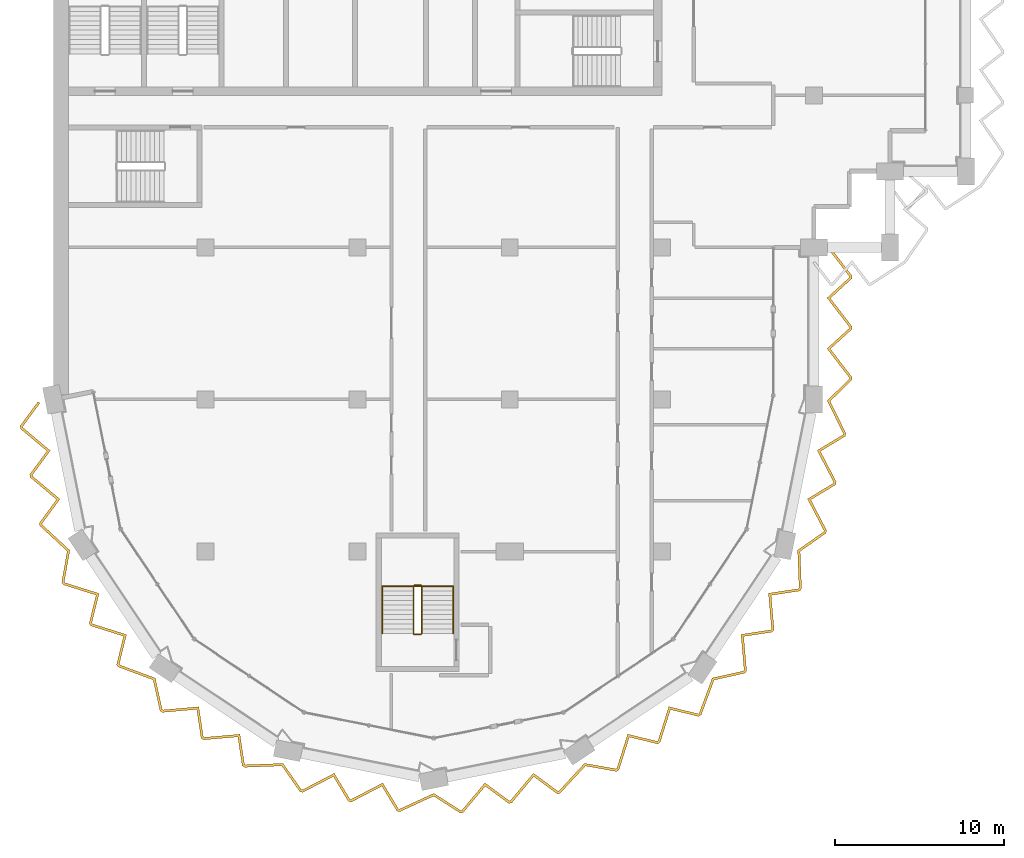
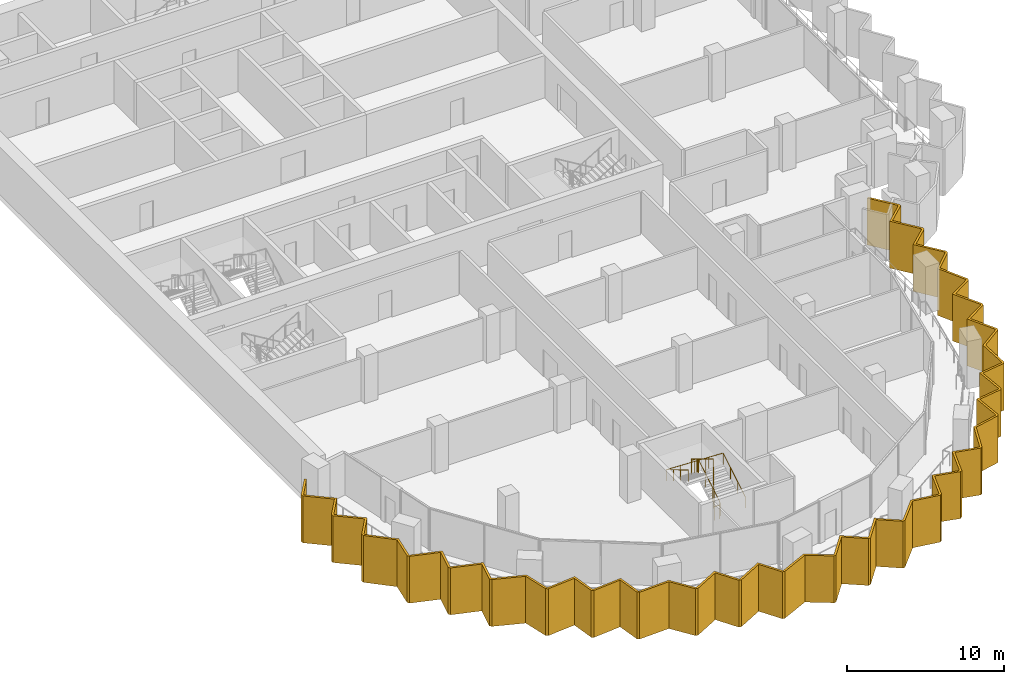
# One storey, part 13 of 16: 2 railings, 1 shading device.
"""IFC4 building model written with IfcOpenShell, lengths in metres."""

from ifc_helpers import new_model, si_unit, direction, frame, origin, origin_2d, place, context, subcontext, project, spatial, polyline, circle, outline, extrude, material, layer, layer_set, type_object, element, save


model = new_model("IFC4")

# Units and contexts
model_context = context("Model", 3, precision=1e-05, world=origin(), true_north=direction((0.0, 1.0)))
body_context = subcontext(model_context, "Body", "Model", "MODEL_VIEW")
ifc_project = project(units=[si_unit("LENGTHUNIT", "METRE"), si_unit("AREAUNIT", "SQUARE_METRE"), si_unit("VOLUMEUNIT", "CUBIC_METRE"), si_unit("PLANEANGLEUNIT", "RADIAN"), si_unit("MASSUNIT", "GRAM", prefix="KILO")], contexts=[model_context])

# Site, building, storey
site_placement = place(None, origin())
site = spatial("IfcSite", under=ifc_project, at=site_placement, CompositionType="ELEMENT")
building_placement = place(site_placement, origin())
building = spatial("IfcBuilding", under=site, at=building_placement, Name="Hunhe Ridgeline Campus", CompositionType="ELEMENT")
storey_placement = place(building_placement, frame((0.0, 0.0, 261.39990234375)))
storey = spatial("IfcBuildingStorey", under=building, at=storey_placement, Name="L67", CompositionType="ELEMENT", Elevation=261.39990234375)

# Shading device
ifc_material_1 = material(Name="Concrete C50", Category="concrete")
ifc_layer = layer(ifc_material_1, 0.14990234375)
ifc_layer_set = layer_set([ifc_layer], Name="Sawtooth concrete fin 150 Concrete C50")
shading_device_type = type_object("IfcShadingDeviceType", Name="Sawtooth concrete fin 150 Concrete C50", PredefinedType="USERDEFINED", material=ifc_layer_set)
shading_device_placement = place(storey_placement, frame((0.0, 0.0, -0.949951171875)))
element("IfcShadingDevice", 1, at=shading_device_placement, inside=storey, type_object=shading_device_type, Name="Concrete fin screen 1", ObjectType="FIN", PredefinedType="USERDEFINED", context=body_context, shape_type="SweptSolid", body=[
    extrude(outline(polyline([(-0.7978515625, 44.784912109375), (-0.91845703125, 44.873779296875), (-1.98193359375, 43.43017578125), (-1.94677734375, 43.254150390625), (-0.389404296875, 41.947021484375), (-1.410888671875, 40.56005859375), (-1.3759765625, 40.384033203125), (0.181396484375, 39.076904296875), (-0.840087890625, 37.68994140625), (-0.805419921875, 37.51611328125), (0.8076171875, 36.02099609375), (0.484130859375, 34.178466796875), (0.58203125, 34.03173828125), (2.521240234375, 33.419921875), (2.108154296875, 31.747802734375), (2.2080078125, 31.5986328125), (4.14697265625, 30.98681640625), (3.734130859375, 29.314697265625), (3.83251953125, 29.1669921875), (5.89501953125, 28.403076171875), (6.30126953125, 26.5771484375), (6.447998046875, 26.47900390625), (8.4736328125, 26.656005859375), (8.73193359375, 24.952880859375), (8.881103515625, 24.853271484375), (10.90673828125, 25.030029296875), (11.1650390625, 23.3271484375), (11.3125, 23.228515625), (13.51025390625, 23.31201171875), (14.58447265625, 21.780517578125), (14.757568359375, 21.74609375), (16.561279296875, 22.6845703125), (17.45166015625, 21.210205078125), (17.627685546875, 21.175048828125), (19.431396484375, 22.11376953125), (20.32177734375, 20.63916015625), (20.49560546875, 20.6044921875), (22.494140625, 21.522705078125), (24.07275390625, 20.518798828125), (24.245849609375, 20.55322265625), (25.552978515625, 22.110595703125), (26.93994140625, 21.089111328125), (27.115966796875, 21.1240234375), (28.423095703125, 22.681396484375), (29.81005859375, 21.659912109375), (29.98388671875, 21.694580078125), (31.47900390625, 23.3076171875), (33.321533203125, 22.984130859375), (33.46826171875, 23.08203125), (34.080078125, 25.021240234375), (35.752197265625, 24.608154296875), (35.9013671875, 24.7080078125), (36.51318359375, 26.64697265625), (38.185302734375, 26.234130859375), (38.3330078125, 26.33251953125), (39.096923828125, 28.39501953125), (40.9228515625, 28.80126953125), (41.02099609375, 28.947998046875), (40.843994140625, 30.9736328125), (42.547119140625, 31.23193359375), (42.646728515625, 31.381103515625), (42.469970703125, 33.40673828125), (44.1728515625, 33.6650390625), (44.271484375, 33.8125), (44.18798828125, 36.01025390625), (45.719482421875, 37.08447265625), (45.75390625, 37.257568359375), (44.8154296875, 39.061279296875), (46.289794921875, 39.95166015625), (46.324951171875, 40.127685546875), (45.38623046875, 41.931396484375), (46.86083984375, 42.82177734375), (46.8955078125, 42.99658203125), (45.966064453125, 44.898193359375), (47.25, 46.154541015625), (47.25, 46.33154296875), (45.976318359375, 47.990966796875), (47.25, 49.15283203125), (47.25, 49.33154296875), (45.976318359375, 50.990966796875), (47.25, 52.15283203125), (47.25, 52.33154296875), (45.9345703125, 54.045654296875), (45.8154296875, 53.954345703125), (47.10009765625, 52.280517578125), (47.10009765625, 52.21923828125), (45.773681640625, 51.009033203125), (47.10009765625, 49.280517578125), (47.10009765625, 49.21923828125), (45.773681640625, 48.009033203125), (47.10009765625, 46.280517578125), (47.10009765625, 46.217529296875), (45.783935546875, 44.929443359375), (46.738525390625, 42.976318359375), (46.7265625, 42.915771484375), (45.188232421875, 41.987060546875), (46.16748046875, 40.105224609375), (46.15576171875, 40.045654296875), (44.617431640625, 39.116943359375), (45.5966796875, 37.235107421875), (45.584228515625, 37.172607421875), (44.034912109375, 36.086181640625), (44.11962890625, 33.85546875), (44.0849609375, 33.803466796875), (42.30810546875, 33.533935546875), (42.49267578125, 31.420654296875), (42.458984375, 31.3701171875), (40.682373046875, 31.100830078125), (40.866943359375, 28.9873046875), (40.83154296875, 28.9345703125), (38.984619140625, 28.523681640625), (38.209228515625, 26.43017578125), (38.156982421875, 26.3955078125), (36.41259765625, 26.826416015625), (35.774169921875, 24.803466796875), (35.723876953125, 24.769775390625), (33.979248046875, 25.20068359375), (33.341064453125, 23.177490234375), (33.288330078125, 23.142333984375), (31.424560546875, 23.469482421875), (29.906982421875, 21.832275390625), (29.845703125, 21.820068359375), (28.398681640625, 22.8857421875), (27.034912109375, 21.260986328125), (26.9755859375, 21.2490234375), (25.528564453125, 22.31494140625), (24.164794921875, 20.68994140625), (24.1025390625, 20.677490234375), (22.505859375, 21.693115234375), (20.477294921875, 20.76123046875), (20.415771484375, 20.7734375), (19.487060546875, 22.311767578125), (17.605224609375, 21.33251953125), (17.545654296875, 21.34423828125), (16.616943359375, 22.882568359375), (14.735107421875, 21.9033203125), (14.672607421875, 21.915771484375), (13.586181640625, 23.465087890625), (11.35546875, 23.38037109375), (11.303466796875, 23.4150390625), (11.033935546875, 25.19189453125), (8.920654296875, 25.00732421875), (8.8701171875, 25.041015625), (8.600830078125, 26.817626953125), (6.4873046875, 26.633056640625), (6.4345703125, 26.66845703125), (6.023681640625, 28.515380859375), (3.93017578125, 29.290771484375), (3.8955078125, 29.343017578125), (4.326416015625, 31.08740234375), (2.303466796875, 31.725830078125), (2.269775390625, 31.776123046875), (2.70068359375, 33.520751953125), (0.677490234375, 34.158935546875), (0.642333984375, 34.211669921875), (0.969482421875, 36.075439453125), (-0.667724609375, 37.593017578125), (-0.679931640625, 37.654296875), (0.3857421875, 39.101318359375), (-1.239013671875, 40.465087890625), (-1.2509765625, 40.5244140625), (-0.18505859375, 41.971435546875), (-1.81005859375, 43.335205078125), (-1.82177734375, 43.39453125), (-0.7978515625, 44.784912109375)])), origin(), (0.0, 0.0, 1.0), 3.650146484375),
])

# Railings
ifc_material_2 = material(Name="Stainless steel balustrade", Category="steel")
railing_type_1 = type_object("IfcRailingType", Name="Stair guard 1100 stainless", PredefinedType="GUARDRAIL", material=ifc_material_2)
railing_1_placement = place(storey_placement, frame((21.800048828125, 31.14990234375, 0.168212890625)))
element("IfcRailing", 2, at=railing_1_placement, inside=storey, type_object=railing_type_1, Name="L67 stair W3 guard", PredefinedType="GUARDRAIL", context=body_context, shape_type="SweptSolid", body=[
    extrude(circle(Radius=0.02392578125, at=origin_2d()), frame((0.0, 0.0, 1.076171875), z_axis=(0.0, 0.857242210791, 0.514913383045), x_axis=(-1.0, 0.0, 0.0)), (0.0, 0.0, 1.0), 3.266357421875),
    extrude(circle(Radius=0.02392578125, at=origin_2d()), frame((0.0, 2.800048828125, 2.7578125), z_axis=(-0.707106781187, 0.707106781187, 0.0), x_axis=(-0.707106781187, -0.707106781187, 0.0)), (0.0, 0.0, 1.0), 0.07080078125),
    extrude(circle(Radius=0.02392578125, at=origin_2d()), frame((-0.050048828125, 2.85009765625, 2.7578125), z_axis=(-1.0, 0.0, 0.0), x_axis=(0.0, -1.0, 0.0)), (0.0, 0.0, 1.0), 0.39990234375),
    extrude(circle(Radius=0.02392578125, at=origin_2d()), frame((-0.449951171875, 2.85009765625, 2.7578125), z_axis=(-0.274243871929, -0.274243871929, 0.92172696468), x_axis=(0.707106781187, -0.707106781187, 0.0)), (0.0, 0.0, 1.0), 0.1826171875),
    extrude(circle(Radius=0.02392578125, at=origin_2d()), frame((-0.5, 2.800048828125, 2.92626953125), z_axis=(0.0, -0.857242210791, 0.514913383045), x_axis=(1.0, 0.0, 0.0)), (0.0, 0.0, 1.0), 3.266357421875),
    extrude(circle(Radius=0.02392578125, at=origin_2d()), frame((-0.5, 0.0, 4.60791015625), z_axis=(0.013523534403, -0.013457565943, -0.999817987404), x_axis=(0.705375805398, 0.708833529934, 0.0)), (0.0, 0.0, 1.0), 3.700927734375),
    extrude(circle(Radius=0.02392578125, at=origin_2d()), frame((-0.449951171875, -0.0498046875, 0.90771484375), z_axis=(1.0, 0.0, 0.0), x_axis=(0.0, 1.0, 0.0)), (0.0, 0.0, 1.0), 0.39990234375),
    extrude(circle(Radius=0.02099609375, at=origin_2d()), origin(), (0.0, 0.0, 1.0), 1.052001953125),
    extrude(circle(Radius=0.02099609375, at=origin_2d()), frame((0.0, 0.933349609375, 0.560546875)), (0.0, 0.0, 1.0), 1.052001953125),
    extrude(circle(Radius=0.02099609375, at=origin_2d()), frame((0.0, 1.86669921875, 1.121337890625)), (0.0, 0.0, 1.0), 1.052001953125),
    extrude(circle(Radius=0.02099609375, at=origin_2d()), frame((0.0, 2.800048828125, 1.681884765625)), (0.0, 0.0, 1.0), 1.052001953125),
    extrude(circle(Radius=0.02099609375, at=origin_2d()), frame((-0.050048828125, 2.85009765625, 1.681884765625)), (0.0, 0.0, 1.0), 1.052001953125),
    extrude(circle(Radius=0.02099609375, at=origin_2d()), frame((-0.449951171875, 2.85009765625, 1.681884765625)), (0.0, 0.0, 1.0), 1.052001953125),
    extrude(circle(Radius=0.02099609375, at=origin_2d()), frame((-0.5, 2.800048828125, 1.85009765625)), (0.0, 0.0, 1.0), 1.052001953125),
    extrude(circle(Radius=0.02099609375, at=origin_2d()), frame((-0.5, 1.86669921875, 2.41064453125)), (0.0, 0.0, 1.0), 1.052001953125),
    extrude(circle(Radius=0.02099609375, at=origin_2d()), frame((-0.5, 0.933349609375, 2.971435546875)), (0.0, 0.0, 1.0), 1.052001953125),
    extrude(circle(Radius=0.02099609375, at=origin_2d()), frame((-0.5, 0.0, 3.531982421875)), (0.0, 0.0, 1.0), 1.052001953125),
    extrude(circle(Radius=0.02099609375, at=origin_2d()), frame((-0.487548828125, -0.012451171875, 2.60693359375)), (0.0, 0.0, 1.0), 1.052001953125),
    extrude(circle(Radius=0.02099609375, at=origin_2d()), frame((-0.47509765625, -0.02490234375, 1.681884765625)), (0.0, 0.0, 1.0), 1.052001953125),
    extrude(circle(Radius=0.02099609375, at=origin_2d()), frame((-0.46240234375, -0.037353515625, 0.7568359375)), (0.0, 0.0, 1.0), 1.052001953125),
    extrude(circle(Radius=0.02099609375, at=origin_2d()), frame((-0.449951171875, -0.0498046875, -0.168212890625)), (0.0, 0.0, 1.0), 1.052001953125),
    extrude(circle(Radius=0.02099609375, at=origin_2d()), frame((-0.050048828125, -0.0498046875, -0.168212890625)), (0.0, 0.0, 1.0), 1.052001953125),
])
ifc_material_3 = material(Name="Stainless steel handrail", Category="steel")
railing_type_2 = type_object("IfcRailingType", Name="Stair handrail 900 stainless", PredefinedType="HANDRAIL", material=ifc_material_3)
railing_2_placement = place(storey_placement, frame((23.64990234375, 31.14990234375, 0.168212890625)))
element("IfcRailing", 3, at=railing_2_placement, inside=storey, type_object=railing_type_2, Name="L67 stair W3 handrail", PredefinedType="HANDRAIL", context=body_context, shape_type="SweptSolid", body=[
    extrude(circle(Radius=0.02392578125, at=origin_2d()), frame((0.0, 0.0, 0.8759765625), z_axis=(0.0, 0.857242210791, 0.514913383045), x_axis=(-1.0, 0.0, 0.0)), (0.0, 0.0, 1.0), 3.266357421875),
    extrude(circle(Radius=0.02392578125, at=origin_2d()), frame((0.0, 2.800048828125, 2.5576171875), z_axis=(-0.999198916169, 0.0, 0.040019069537), x_axis=(0.0, -1.0, 0.0)), (0.0, 0.0, 1.0), 4.203369140625),
    extrude(circle(Radius=0.02392578125, at=origin_2d()), frame((-4.199951171875, 2.800048828125, 2.72607421875), z_axis=(0.0, -0.857242210791, 0.514913383045), x_axis=(1.0, 0.0, 0.0)), (0.0, 0.0, 1.0), 3.266357421875),
    extrude(circle(Radius=0.02099609375, at=origin_2d()), origin(), (0.0, 0.0, 1.0), 0.851806640625),
    extrude(circle(Radius=0.02099609375, at=origin_2d()), frame((0.0, 0.933349609375, 0.560546875)), (0.0, 0.0, 1.0), 0.851806640625),
    extrude(circle(Radius=0.02099609375, at=origin_2d()), frame((0.0, 1.86669921875, 1.121337890625)), (0.0, 0.0, 1.0), 0.851806640625),
    extrude(circle(Radius=0.02099609375, at=origin_2d()), frame((0.0, 2.800048828125, 1.681884765625)), (0.0, 0.0, 1.0), 0.851806640625),
    extrude(circle(Radius=0.02099609375, at=origin_2d()), frame((-1.050048828125, 2.800048828125, 1.723876953125)), (0.0, 0.0, 1.0), 0.851806640625),
    extrude(circle(Radius=0.02099609375, at=origin_2d()), frame((-2.10009765625, 2.800048828125, 1.76611328125)), (0.0, 0.0, 1.0), 0.851806640625),
    extrude(circle(Radius=0.02099609375, at=origin_2d()), frame((-3.14990234375, 2.800048828125, 1.80810546875)), (0.0, 0.0, 1.0), 0.851806640625),
    extrude(circle(Radius=0.02099609375, at=origin_2d()), frame((-4.199951171875, 2.800048828125, 1.85009765625)), (0.0, 0.0, 1.0), 0.851806640625),
    extrude(circle(Radius=0.02099609375, at=origin_2d()), frame((-4.199951171875, 1.86669921875, 2.41064453125)), (0.0, 0.0, 1.0), 0.851806640625),
    extrude(circle(Radius=0.02099609375, at=origin_2d()), frame((-4.199951171875, 0.933349609375, 2.971435546875)), (0.0, 0.0, 1.0), 0.851806640625),
    extrude(circle(Radius=0.02099609375, at=origin_2d()), frame((-4.199951171875, 0.0, 3.531982421875)), (0.0, 0.0, 1.0), 0.851806640625),
])

save(model, "model.ifc")
